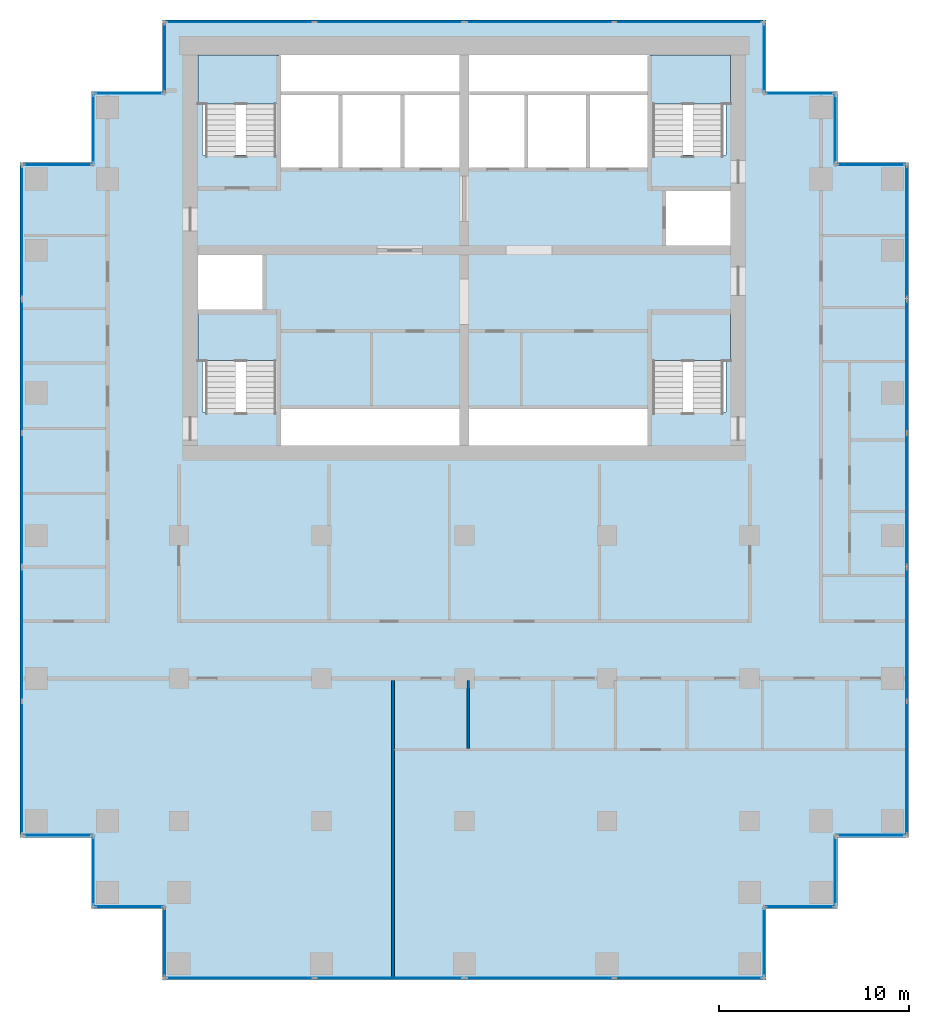
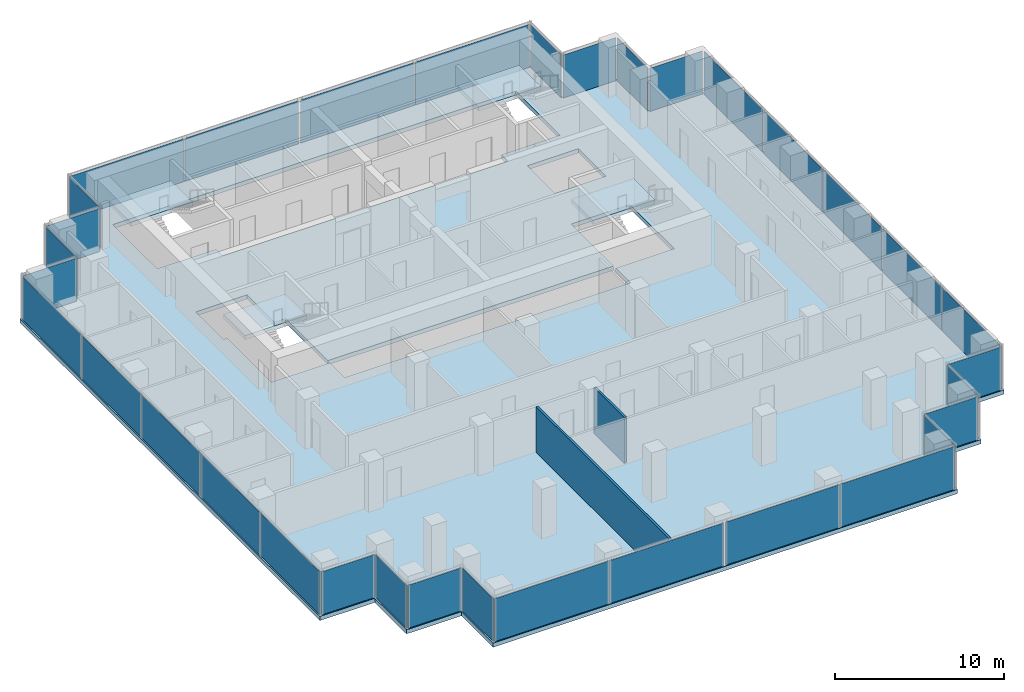
# One storey, part 6 of 10: 34 plates, 5 slabs, 2 walls, 30 elements without a shape of their own.
"""IFC4 building model written with IfcOpenShell, lengths in metres."""

from ifc_helpers import new_model, si_unit, direction, frame, frame_2d, origin, origin_2d, place, context, subcontext, project, spatial, polyline, rectangle, outline, extrude, material, layer, layer_set, type_object, element, aggregate, save


model = new_model("IFC4")

# Units and contexts
model_context = context("Model", 3, precision=1e-05, world=origin(), true_north=direction((0.0, 1.0)))
body_context = subcontext(model_context, "Body", "Model", "MODEL_VIEW")
ifc_project = project(units=[si_unit("LENGTHUNIT", "METRE"), si_unit("AREAUNIT", "SQUARE_METRE"), si_unit("VOLUMEUNIT", "CUBIC_METRE"), si_unit("PLANEANGLEUNIT", "RADIAN"), si_unit("MASSUNIT", "GRAM", prefix="KILO")], contexts=[model_context])

# Site, building, storey
site_placement = place(None, origin())
site = spatial("IfcSite", under=ifc_project, at=site_placement, CompositionType="ELEMENT")
building_placement = place(site_placement, origin())
building = spatial("IfcBuilding", under=site, at=building_placement, Name="Pilkhan Gate Tower", CompositionType="ELEMENT")
storey_placement = place(building_placement, frame((0.0, 0.0, 165.699951171875)))
storey = spatial("IfcBuildingStorey", under=building, at=storey_placement, Name="L42", CompositionType="ELEMENT", Elevation=165.699951171875)

# Slab
ifc_material_1 = material(Name="Concrete C40/50", Category="concrete")
ifc_layer_1 = layer(ifc_material_1, 0.300048828125)
ifc_layer_set_1 = layer_set([ifc_layer_1], Name="Flat plate slab FP300")
slab_type_1 = type_object("IfcSlabType", Name="Flat plate slab FP300", PredefinedType="FLOOR", material=ifc_layer_set_1)
slab_1_placement = place(storey_placement, frame((0.0, 0.0, -0.300048828125)))
element("IfcSlab", 1, at=slab_1_placement, inside=storey, type_object=slab_type_1, Name="Floor slab L42", PredefinedType="FLOOR", context=body_context, shape_type="SweptSolid", body=[
    extrude(outline(polyline([(94.60009765625, 47.89990234375), (90.85009765625, 47.89990234375), (90.85009765625, 44.14990234375), (59.14990234375, 44.14990234375), (59.14990234375, 47.89990234375), (55.39990234375, 47.89990234375), (55.39990234375, 51.64990234375), (51.64990234375, 51.64990234375), (51.64990234375, 87.10009765625), (55.39990234375, 87.10009765625), (55.39990234375, 90.85009765625), (59.14990234375, 90.85009765625), (59.14990234375, 94.60009765625), (90.85009765625, 94.60009765625), (90.85009765625, 90.85009765625), (94.60009765625, 90.85009765625), (94.60009765625, 87.10009765625), (98.35009765625, 87.10009765625), (98.35009765625, 51.64990234375), (94.60009765625, 51.64990234375), (94.60009765625, 47.89990234375)]), holes=[polyline([(75.0, 72.25), (84.75, 72.25), (84.75, 74.0), (88.75, 74.0), (88.75, 79.25), (84.75, 79.25), (84.75, 74.25), (75.0, 74.25), (65.25, 74.25), (65.25, 79.25), (64.5, 79.25), (64.5, 82.5), (61.25, 82.5), (61.0, 82.5), (61.0, 79.25), (61.25, 79.25), (61.25, 74.0), (65.25, 74.0), (65.25, 72.25), (75.0, 72.25)]), polyline([(68.5, 86.75), (71.75, 86.75), (75.0, 86.75), (78.25, 86.75), (81.5, 86.75), (84.75, 86.75), (84.75, 87.5), (88.75, 87.5), (88.75, 92.75), (84.75, 92.75), (75.0, 92.75), (65.25, 92.75), (61.25, 92.75), (61.25, 87.5), (65.25, 87.5), (65.25, 86.75), (68.5, 86.75)]), polyline([(85.5, 85.75), (85.5, 82.5), (88.75, 82.5), (89.0, 82.5), (89.0, 85.75), (88.75, 85.75), (85.5, 85.75)])]), origin(), (0.0, 0.0, 1.0), 0.300048828125),
])

# Curtain wall, plates
ifc_material_2 = material(Name="Pale anodised aluminium, clear low-iron double glazing", Category="aluminium")
curtain_wall_type = type_object("IfcCurtainWallType", Name="Office unitised curtain wall CW-O1", PredefinedType="USERDEFINED", material=ifc_material_2)
curtain_wall_1_placement = place(storey_placement, origin())
curtain_wall_1 = element("IfcCurtainWall", 2, at=curtain_wall_1_placement, inside=storey, type_object=curtain_wall_type, Name="Office unitised curtain wall CW-O1 L42 E", ObjectType="UNITISED CURTAIN WALL", PredefinedType="USERDEFINED")
ifc_material_3 = material(Name="Clear low-iron double glazing", Category="glass")
ifc_layer_2 = layer(ifc_material_3, 0.0400390625)
ifc_layer_set_2 = layer_set([ifc_layer_2], Name="Glass panel CW-O1 40")
plate_type = type_object("IfcPlateType", Name="Glass panel CW-O1 40", PredefinedType="CURTAIN_PANEL", material=ifc_layer_set_2)
plate_1_placement = place(storey_placement, frame((98.25, 55.29248046875, 0.0), z_axis=(0.0, 0.0, 1.0), x_axis=(0.0, 1.0, 0.0)))
plate_1 = element("IfcPlate", 3, at=plate_1_placement, type_object=plate_type, Name="CW-O1 panel 1", PredefinedType="CURTAIN_PANEL", context=body_context, shape_type="SweptSolid", body=[
    extrude(rectangle(XDim=6.945068359375, YDim=0.0400390625, at=origin_2d()), origin(), (0.0, 0.0, 1.0), 3.10009765625),
])
plate_2_placement = place(storey_placement, frame((98.25, 62.3076171875, 0.0), z_axis=(0.0, 0.0, 1.0), x_axis=(0.0, 1.0, 0.0)))
plate_2 = element("IfcPlate", 4, at=plate_2_placement, type_object=plate_type, Name="CW-O1 panel 2", PredefinedType="CURTAIN_PANEL", context=body_context, shape_type="SweptSolid", body=[
    extrude(rectangle(XDim=6.945068359375, YDim=0.0400390625, at=origin_2d()), origin(), (0.0, 0.0, 1.0), 3.10009765625),
])
aggregate(curtain_wall_1, [plate_1, plate_2])

curtain_wall_2_placement = place(storey_placement, origin())
curtain_wall_2 = element("IfcCurtainWall", 5, at=curtain_wall_2_placement, inside=storey, type_object=curtain_wall_type, Name="Office unitised curtain wall CW-O1 L42 E", ObjectType="UNITISED CURTAIN WALL", PredefinedType="USERDEFINED")
plate_3_placement = place(storey_placement, frame((98.25, 69.392578125, 0.0), z_axis=(0.0, 0.0, 1.0), x_axis=(0.0, 1.0, 0.0)))
plate_3 = element("IfcPlate", 6, at=plate_3_placement, type_object=plate_type, Name="CW-O1 panel 1", PredefinedType="CURTAIN_PANEL", context=body_context, shape_type="SweptSolid", body=[
    extrude(rectangle(XDim=6.945068359375, YDim=0.0400390625, at=origin_2d()), origin(), (0.0, 0.0, 1.0), 3.10009765625),
])
plate_4_placement = place(storey_placement, frame((98.25, 76.407470703125, 0.0), z_axis=(0.0, 0.0, 1.0), x_axis=(0.0, 1.0, 0.0)))
plate_4 = element("IfcPlate", 7, at=plate_4_placement, type_object=plate_type, Name="CW-O1 panel 2", PredefinedType="CURTAIN_PANEL", context=body_context, shape_type="SweptSolid", body=[
    extrude(rectangle(XDim=6.945068359375, YDim=0.0400390625, at=origin_2d()), origin(), (0.0, 0.0, 1.0), 3.10009765625),
])
aggregate(curtain_wall_2, [plate_3, plate_4])

# Curtain wall, plate
curtain_wall_3_placement = place(storey_placement, origin())
curtain_wall_3 = element("IfcCurtainWall", 8, at=curtain_wall_3_placement, inside=storey, type_object=curtain_wall_type, Name="Office unitised curtain wall CW-O1 L42 E", ObjectType="UNITISED CURTAIN WALL", PredefinedType="USERDEFINED")
plate_5_placement = place(storey_placement, frame((98.25, 83.47509765625, 0.0), z_axis=(0.0, 0.0, 1.0), x_axis=(0.0, 1.0, 0.0)))
plate_5 = element("IfcPlate", 9, at=plate_5_placement, type_object=plate_type, Name="CW-O1 panel 1", PredefinedType="CURTAIN_PANEL", context=body_context, shape_type="SweptSolid", body=[
    extrude(rectangle(XDim=6.909912109375, YDim=0.0400390625, at=origin_2d()), origin(), (0.0, 0.0, 1.0), 3.10009765625),
])
aggregate(curtain_wall_3, [plate_5])

curtain_wall_4_placement = place(storey_placement, origin())
curtain_wall_4 = element("IfcCurtainWall", 10, at=curtain_wall_4_placement, inside=storey, type_object=curtain_wall_type, Name="Office unitised curtain wall CW-O1 L42 N", ObjectType="UNITISED CURTAIN WALL", PredefinedType="USERDEFINED")
plate_6_placement = place(storey_placement, frame((96.375, 87.0, 0.0), z_axis=(0.0, 0.0, 1.0), x_axis=(1.0, 0.0, 0.0)))
plate_6 = element("IfcPlate", 11, at=plate_6_placement, type_object=plate_type, Name="CW-O1 panel 1", PredefinedType="CURTAIN_PANEL", context=body_context, shape_type="SweptSolid", body=[
    extrude(rectangle(XDim=3.610107421875, YDim=0.0400390625, at=origin_2d()), origin(), (0.0, 0.0, 1.0), 3.10009765625),
])
aggregate(curtain_wall_4, [plate_6])

curtain_wall_5_placement = place(storey_placement, origin())
curtain_wall_5 = element("IfcCurtainWall", 12, at=curtain_wall_5_placement, inside=storey, type_object=curtain_wall_type, Name="Office unitised curtain wall CW-O1 L42 E", ObjectType="UNITISED CURTAIN WALL", PredefinedType="USERDEFINED")
plate_7_placement = place(storey_placement, frame((94.5, 88.875, 0.0), z_axis=(0.0, 0.0, 1.0), x_axis=(0.0, 1.0, 0.0)))
plate_7 = element("IfcPlate", 13, at=plate_7_placement, type_object=plate_type, Name="CW-O1 panel 1", PredefinedType="CURTAIN_PANEL", context=body_context, shape_type="SweptSolid", body=[
    extrude(rectangle(XDim=3.610107421875, YDim=0.0400390625, at=origin_2d()), origin(), (0.0, 0.0, 1.0), 3.10009765625),
])
aggregate(curtain_wall_5, [plate_7])

curtain_wall_6_placement = place(storey_placement, origin())
curtain_wall_6 = element("IfcCurtainWall", 14, at=curtain_wall_6_placement, inside=storey, type_object=curtain_wall_type, Name="Office unitised curtain wall CW-O1 L42 N", ObjectType="UNITISED CURTAIN WALL", PredefinedType="USERDEFINED")
plate_8_placement = place(storey_placement, frame((92.625, 90.75, 0.0), z_axis=(0.0, 0.0, 1.0), x_axis=(1.0, 0.0, 0.0)))
plate_8 = element("IfcPlate", 15, at=plate_8_placement, type_object=plate_type, Name="CW-O1 panel 1", PredefinedType="CURTAIN_PANEL", context=body_context, shape_type="SweptSolid", body=[
    extrude(rectangle(XDim=3.610107421875, YDim=0.0400390625, at=origin_2d()), origin(), (0.0, 0.0, 1.0), 3.10009765625),
])
aggregate(curtain_wall_6, [plate_8])

curtain_wall_7_placement = place(storey_placement, origin())
curtain_wall_7 = element("IfcCurtainWall", 16, at=curtain_wall_7_placement, inside=storey, type_object=curtain_wall_type, Name="Office unitised curtain wall CW-O1 L42 E", ObjectType="UNITISED CURTAIN WALL", PredefinedType="USERDEFINED")
plate_9_placement = place(storey_placement, frame((90.75, 92.625, 0.0), z_axis=(0.0, 0.0, 1.0), x_axis=(0.0, 1.0, 0.0)))
plate_9 = element("IfcPlate", 17, at=plate_9_placement, type_object=plate_type, Name="CW-O1 panel 1", PredefinedType="CURTAIN_PANEL", context=body_context, shape_type="SweptSolid", body=[
    extrude(rectangle(XDim=3.610107421875, YDim=0.0400390625, at=origin_2d()), origin(), (0.0, 0.0, 1.0), 3.10009765625),
])
aggregate(curtain_wall_7, [plate_9])

# Curtain wall, plates
curtain_wall_8_placement = place(storey_placement, origin())
curtain_wall_8 = element("IfcCurtainWall", 18, at=curtain_wall_8_placement, inside=storey, type_object=curtain_wall_type, Name="Office unitised curtain wall CW-O1 L42 N", ObjectType="UNITISED CURTAIN WALL", PredefinedType="USERDEFINED")
plate_10_placement = place(storey_placement, frame((63.205078125, 94.5, 0.0), z_axis=(0.0, 0.0, 1.0), x_axis=(1.0, 0.0, 0.0)))
plate_10 = element("IfcPlate", 19, at=plate_10_placement, type_object=plate_type, Name="CW-O1 panel 1", PredefinedType="CURTAIN_PANEL", context=body_context, shape_type="SweptSolid", body=[
    extrude(rectangle(XDim=7.77001953125, YDim=0.0400390625, at=origin_2d()), origin(), (0.0, 0.0, 1.0), 3.10009765625),
])
plate_11_placement = place(storey_placement, frame((71.044921875, 94.5, 0.0), z_axis=(0.0, 0.0, 1.0), x_axis=(1.0, 0.0, 0.0)))
plate_11 = element("IfcPlate", 20, at=plate_11_placement, type_object=plate_type, Name="CW-O1 panel 2", PredefinedType="CURTAIN_PANEL", context=body_context, shape_type="SweptSolid", body=[
    extrude(rectangle(XDim=7.77001953125, YDim=0.0400390625, at=origin_2d()), origin(), (0.0, 0.0, 1.0), 3.10009765625),
])
aggregate(curtain_wall_8, [plate_10, plate_11])

curtain_wall_9_placement = place(storey_placement, origin())
curtain_wall_9 = element("IfcCurtainWall", 21, at=curtain_wall_9_placement, inside=storey, type_object=curtain_wall_type, Name="Office unitised curtain wall CW-O1 L42 N", ObjectType="UNITISED CURTAIN WALL", PredefinedType="USERDEFINED")
plate_12_placement = place(storey_placement, frame((78.955078125, 94.5, 0.0), z_axis=(0.0, 0.0, 1.0), x_axis=(1.0, 0.0, 0.0)))
plate_12 = element("IfcPlate", 22, at=plate_12_placement, type_object=plate_type, Name="CW-O1 panel 1", PredefinedType="CURTAIN_PANEL", context=body_context, shape_type="SweptSolid", body=[
    extrude(rectangle(XDim=7.77001953125, YDim=0.0400390625, at=origin_2d()), origin(), (0.0, 0.0, 1.0), 3.10009765625),
])
plate_13_placement = place(storey_placement, frame((86.794921875, 94.5, 0.0), z_axis=(0.0, 0.0, 1.0), x_axis=(1.0, 0.0, 0.0)))
plate_13 = element("IfcPlate", 23, at=plate_13_placement, type_object=plate_type, Name="CW-O1 panel 2", PredefinedType="CURTAIN_PANEL", context=body_context, shape_type="SweptSolid", body=[
    extrude(rectangle(XDim=7.77001953125, YDim=0.0400390625, at=origin_2d()), origin(), (0.0, 0.0, 1.0), 3.10009765625),
])
aggregate(curtain_wall_9, [plate_12, plate_13])

# Curtain wall, plate
curtain_wall_10_placement = place(storey_placement, origin())
curtain_wall_10 = element("IfcCurtainWall", 24, at=curtain_wall_10_placement, inside=storey, type_object=curtain_wall_type, Name="Office unitised curtain wall CW-O1 L42 W", ObjectType="UNITISED CURTAIN WALL", PredefinedType="USERDEFINED")
plate_14_placement = place(storey_placement, frame((59.25, 92.625, 0.0), z_axis=(0.0, 0.0, 1.0), x_axis=(0.0, 1.0, 0.0)))
plate_14 = element("IfcPlate", 25, at=plate_14_placement, type_object=plate_type, Name="CW-O1 panel 1", PredefinedType="CURTAIN_PANEL", context=body_context, shape_type="SweptSolid", body=[
    extrude(rectangle(XDim=3.610107421875, YDim=0.0400390625, at=origin_2d()), origin(), (0.0, 0.0, 1.0), 3.10009765625),
])
aggregate(curtain_wall_10, [plate_14])

curtain_wall_11_placement = place(storey_placement, origin())
curtain_wall_11 = element("IfcCurtainWall", 26, at=curtain_wall_11_placement, inside=storey, type_object=curtain_wall_type, Name="Office unitised curtain wall CW-O1 L42 N", ObjectType="UNITISED CURTAIN WALL", PredefinedType="USERDEFINED")
plate_15_placement = place(storey_placement, frame((57.375, 90.75, 0.0), z_axis=(0.0, 0.0, 1.0), x_axis=(1.0, 0.0, 0.0)))
plate_15 = element("IfcPlate", 27, at=plate_15_placement, type_object=plate_type, Name="CW-O1 panel 1", PredefinedType="CURTAIN_PANEL", context=body_context, shape_type="SweptSolid", body=[
    extrude(rectangle(XDim=3.610107421875, YDim=0.0400390625, at=origin_2d()), origin(), (0.0, 0.0, 1.0), 3.10009765625),
])
aggregate(curtain_wall_11, [plate_15])

curtain_wall_12_placement = place(storey_placement, origin())
curtain_wall_12 = element("IfcCurtainWall", 28, at=curtain_wall_12_placement, inside=storey, type_object=curtain_wall_type, Name="Office unitised curtain wall CW-O1 L42 W", ObjectType="UNITISED CURTAIN WALL", PredefinedType="USERDEFINED")
plate_16_placement = place(storey_placement, frame((55.5, 88.875, 0.0), z_axis=(0.0, 0.0, 1.0), x_axis=(0.0, 1.0, 0.0)))
plate_16 = element("IfcPlate", 29, at=plate_16_placement, type_object=plate_type, Name="CW-O1 panel 1", PredefinedType="CURTAIN_PANEL", context=body_context, shape_type="SweptSolid", body=[
    extrude(rectangle(XDim=3.610107421875, YDim=0.0400390625, at=origin_2d()), origin(), (0.0, 0.0, 1.0), 3.10009765625),
])
aggregate(curtain_wall_12, [plate_16])

curtain_wall_13_placement = place(storey_placement, origin())
curtain_wall_13 = element("IfcCurtainWall", 30, at=curtain_wall_13_placement, inside=storey, type_object=curtain_wall_type, Name="Office unitised curtain wall CW-O1 L42 N", ObjectType="UNITISED CURTAIN WALL", PredefinedType="USERDEFINED")
plate_17_placement = place(storey_placement, frame((53.625, 87.0, 0.0), z_axis=(0.0, 0.0, 1.0), x_axis=(1.0, 0.0, 0.0)))
plate_17 = element("IfcPlate", 31, at=plate_17_placement, type_object=plate_type, Name="CW-O1 panel 1", PredefinedType="CURTAIN_PANEL", context=body_context, shape_type="SweptSolid", body=[
    extrude(rectangle(XDim=3.610107421875, YDim=0.0400390625, at=origin_2d()), origin(), (0.0, 0.0, 1.0), 3.10009765625),
])
aggregate(curtain_wall_13, [plate_17])

# Curtain wall, plates
curtain_wall_14_placement = place(storey_placement, origin())
curtain_wall_14 = element("IfcCurtainWall", 32, at=curtain_wall_14_placement, inside=storey, type_object=curtain_wall_type, Name="Office unitised curtain wall CW-O1 L42 W", ObjectType="UNITISED CURTAIN WALL", PredefinedType="USERDEFINED")
plate_18_placement = place(storey_placement, frame((51.75, 55.29248046875, 0.0), z_axis=(0.0, 0.0, 1.0), x_axis=(0.0, 1.0, 0.0)))
plate_18 = element("IfcPlate", 33, at=plate_18_placement, type_object=plate_type, Name="CW-O1 panel 1", PredefinedType="CURTAIN_PANEL", context=body_context, shape_type="SweptSolid", body=[
    extrude(rectangle(XDim=6.945068359375, YDim=0.0400390625, at=origin_2d()), origin(), (0.0, 0.0, 1.0), 3.10009765625),
])
plate_19_placement = place(storey_placement, frame((51.75, 62.3076171875, 0.0), z_axis=(0.0, 0.0, 1.0), x_axis=(0.0, 1.0, 0.0)))
plate_19 = element("IfcPlate", 34, at=plate_19_placement, type_object=plate_type, Name="CW-O1 panel 2", PredefinedType="CURTAIN_PANEL", context=body_context, shape_type="SweptSolid", body=[
    extrude(rectangle(XDim=6.945068359375, YDim=0.0400390625, at=origin_2d()), origin(), (0.0, 0.0, 1.0), 3.10009765625),
])
aggregate(curtain_wall_14, [plate_18, plate_19])

curtain_wall_15_placement = place(storey_placement, origin())
curtain_wall_15 = element("IfcCurtainWall", 35, at=curtain_wall_15_placement, inside=storey, type_object=curtain_wall_type, Name="Office unitised curtain wall CW-O1 L42 W", ObjectType="UNITISED CURTAIN WALL", PredefinedType="USERDEFINED")
plate_20_placement = place(storey_placement, frame((51.75, 69.392578125, 0.0), z_axis=(0.0, 0.0, 1.0), x_axis=(0.0, 1.0, 0.0)))
plate_20 = element("IfcPlate", 36, at=plate_20_placement, type_object=plate_type, Name="CW-O1 panel 1", PredefinedType="CURTAIN_PANEL", context=body_context, shape_type="SweptSolid", body=[
    extrude(rectangle(XDim=6.945068359375, YDim=0.0400390625, at=origin_2d()), origin(), (0.0, 0.0, 1.0), 3.10009765625),
])
plate_21_placement = place(storey_placement, frame((51.75, 76.407470703125, 0.0), z_axis=(0.0, 0.0, 1.0), x_axis=(0.0, 1.0, 0.0)))
plate_21 = element("IfcPlate", 37, at=plate_21_placement, type_object=plate_type, Name="CW-O1 panel 2", PredefinedType="CURTAIN_PANEL", context=body_context, shape_type="SweptSolid", body=[
    extrude(rectangle(XDim=6.945068359375, YDim=0.0400390625, at=origin_2d()), origin(), (0.0, 0.0, 1.0), 3.10009765625),
])
aggregate(curtain_wall_15, [plate_20, plate_21])

# Curtain wall, plate
curtain_wall_16_placement = place(storey_placement, origin())
curtain_wall_16 = element("IfcCurtainWall", 38, at=curtain_wall_16_placement, inside=storey, type_object=curtain_wall_type, Name="Office unitised curtain wall CW-O1 L42 W", ObjectType="UNITISED CURTAIN WALL", PredefinedType="USERDEFINED")
plate_22_placement = place(storey_placement, frame((51.75, 83.47509765625, 0.0), z_axis=(0.0, 0.0, 1.0), x_axis=(0.0, 1.0, 0.0)))
plate_22 = element("IfcPlate", 39, at=plate_22_placement, type_object=plate_type, Name="CW-O1 panel 1", PredefinedType="CURTAIN_PANEL", context=body_context, shape_type="SweptSolid", body=[
    extrude(rectangle(XDim=6.909912109375, YDim=0.0400390625, at=origin_2d()), origin(), (0.0, 0.0, 1.0), 3.10009765625),
])
aggregate(curtain_wall_16, [plate_22])

curtain_wall_17_placement = place(storey_placement, origin())
curtain_wall_17 = element("IfcCurtainWall", 40, at=curtain_wall_17_placement, inside=storey, type_object=curtain_wall_type, Name="Office unitised curtain wall CW-O1 L42 S", ObjectType="UNITISED CURTAIN WALL", PredefinedType="USERDEFINED")
plate_23_placement = place(storey_placement, frame((53.625, 51.75, 0.0), z_axis=(0.0, 0.0, 1.0), x_axis=(1.0, 0.0, 0.0)))
plate_23 = element("IfcPlate", 41, at=plate_23_placement, type_object=plate_type, Name="CW-O1 panel 1", PredefinedType="CURTAIN_PANEL", context=body_context, shape_type="SweptSolid", body=[
    extrude(rectangle(XDim=3.610107421875, YDim=0.0400390625, at=origin_2d()), origin(), (0.0, 0.0, 1.0), 3.10009765625),
])
aggregate(curtain_wall_17, [plate_23])

curtain_wall_18_placement = place(storey_placement, origin())
curtain_wall_18 = element("IfcCurtainWall", 42, at=curtain_wall_18_placement, inside=storey, type_object=curtain_wall_type, Name="Office unitised curtain wall CW-O1 L42 W", ObjectType="UNITISED CURTAIN WALL", PredefinedType="USERDEFINED")
plate_24_placement = place(storey_placement, frame((55.5, 49.875, 0.0), z_axis=(0.0, 0.0, 1.0), x_axis=(0.0, 1.0, 0.0)))
plate_24 = element("IfcPlate", 43, at=plate_24_placement, type_object=plate_type, Name="CW-O1 panel 1", PredefinedType="CURTAIN_PANEL", context=body_context, shape_type="SweptSolid", body=[
    extrude(rectangle(XDim=3.610107421875, YDim=0.0400390625, at=origin_2d()), origin(), (0.0, 0.0, 1.0), 3.10009765625),
])
aggregate(curtain_wall_18, [plate_24])

curtain_wall_19_placement = place(storey_placement, origin())
curtain_wall_19 = element("IfcCurtainWall", 44, at=curtain_wall_19_placement, inside=storey, type_object=curtain_wall_type, Name="Office unitised curtain wall CW-O1 L42 S", ObjectType="UNITISED CURTAIN WALL", PredefinedType="USERDEFINED")
plate_25_placement = place(storey_placement, frame((57.375, 48.0, 0.0), z_axis=(0.0, 0.0, 1.0), x_axis=(1.0, 0.0, 0.0)))
plate_25 = element("IfcPlate", 45, at=plate_25_placement, type_object=plate_type, Name="CW-O1 panel 1", PredefinedType="CURTAIN_PANEL", context=body_context, shape_type="SweptSolid", body=[
    extrude(rectangle(XDim=3.610107421875, YDim=0.0400390625, at=origin_2d()), origin(), (0.0, 0.0, 1.0), 3.10009765625),
])
aggregate(curtain_wall_19, [plate_25])

curtain_wall_20_placement = place(storey_placement, origin())
curtain_wall_20 = element("IfcCurtainWall", 46, at=curtain_wall_20_placement, inside=storey, type_object=curtain_wall_type, Name="Office unitised curtain wall CW-O1 L42 W", ObjectType="UNITISED CURTAIN WALL", PredefinedType="USERDEFINED")
plate_26_placement = place(storey_placement, frame((59.25, 46.125, 0.0), z_axis=(0.0, 0.0, 1.0), x_axis=(0.0, 1.0, 0.0)))
plate_26 = element("IfcPlate", 47, at=plate_26_placement, type_object=plate_type, Name="CW-O1 panel 1", PredefinedType="CURTAIN_PANEL", context=body_context, shape_type="SweptSolid", body=[
    extrude(rectangle(XDim=3.610107421875, YDim=0.0400390625, at=origin_2d()), origin(), (0.0, 0.0, 1.0), 3.10009765625),
])
aggregate(curtain_wall_20, [plate_26])

# Curtain wall, plates
curtain_wall_21_placement = place(storey_placement, origin())
curtain_wall_21 = element("IfcCurtainWall", 48, at=curtain_wall_21_placement, inside=storey, type_object=curtain_wall_type, Name="Office unitised curtain wall CW-O1 L42 S", ObjectType="UNITISED CURTAIN WALL", PredefinedType="USERDEFINED")
plate_27_placement = place(storey_placement, frame((63.205078125, 44.25, 0.0), z_axis=(0.0, 0.0, 1.0), x_axis=(1.0, 0.0, 0.0)))
plate_27 = element("IfcPlate", 49, at=plate_27_placement, type_object=plate_type, Name="CW-O1 panel 1", PredefinedType="CURTAIN_PANEL", context=body_context, shape_type="SweptSolid", body=[
    extrude(rectangle(XDim=7.77001953125, YDim=0.0400390625, at=origin_2d()), origin(), (0.0, 0.0, 1.0), 3.10009765625),
])
plate_28_placement = place(storey_placement, frame((71.044921875, 44.25, 0.0), z_axis=(0.0, 0.0, 1.0), x_axis=(1.0, 0.0, 0.0)))
plate_28 = element("IfcPlate", 50, at=plate_28_placement, type_object=plate_type, Name="CW-O1 panel 2", PredefinedType="CURTAIN_PANEL", context=body_context, shape_type="SweptSolid", body=[
    extrude(rectangle(XDim=7.77001953125, YDim=0.0400390625, at=origin_2d()), origin(), (0.0, 0.0, 1.0), 3.10009765625),
])
aggregate(curtain_wall_21, [plate_27, plate_28])

curtain_wall_22_placement = place(storey_placement, origin())
curtain_wall_22 = element("IfcCurtainWall", 51, at=curtain_wall_22_placement, inside=storey, type_object=curtain_wall_type, Name="Office unitised curtain wall CW-O1 L42 S", ObjectType="UNITISED CURTAIN WALL", PredefinedType="USERDEFINED")
plate_29_placement = place(storey_placement, frame((78.955078125, 44.25, 0.0), z_axis=(0.0, 0.0, 1.0), x_axis=(1.0, 0.0, 0.0)))
plate_29 = element("IfcPlate", 52, at=plate_29_placement, type_object=plate_type, Name="CW-O1 panel 1", PredefinedType="CURTAIN_PANEL", context=body_context, shape_type="SweptSolid", body=[
    extrude(rectangle(XDim=7.77001953125, YDim=0.0400390625, at=origin_2d()), origin(), (0.0, 0.0, 1.0), 3.10009765625),
])
plate_30_placement = place(storey_placement, frame((86.794921875, 44.25, 0.0), z_axis=(0.0, 0.0, 1.0), x_axis=(1.0, 0.0, 0.0)))
plate_30 = element("IfcPlate", 53, at=plate_30_placement, type_object=plate_type, Name="CW-O1 panel 2", PredefinedType="CURTAIN_PANEL", context=body_context, shape_type="SweptSolid", body=[
    extrude(rectangle(XDim=7.77001953125, YDim=0.0400390625, at=origin_2d()), origin(), (0.0, 0.0, 1.0), 3.10009765625),
])
aggregate(curtain_wall_22, [plate_29, plate_30])

# Curtain wall, plate
curtain_wall_23_placement = place(storey_placement, origin())
curtain_wall_23 = element("IfcCurtainWall", 54, at=curtain_wall_23_placement, inside=storey, type_object=curtain_wall_type, Name="Office unitised curtain wall CW-O1 L42 E", ObjectType="UNITISED CURTAIN WALL", PredefinedType="USERDEFINED")
plate_31_placement = place(storey_placement, frame((90.75, 46.125, 0.0), z_axis=(0.0, 0.0, 1.0), x_axis=(0.0, 1.0, 0.0)))
plate_31 = element("IfcPlate", 55, at=plate_31_placement, type_object=plate_type, Name="CW-O1 panel 1", PredefinedType="CURTAIN_PANEL", context=body_context, shape_type="SweptSolid", body=[
    extrude(rectangle(XDim=3.610107421875, YDim=0.0400390625, at=origin_2d()), origin(), (0.0, 0.0, 1.0), 3.10009765625),
])
aggregate(curtain_wall_23, [plate_31])

curtain_wall_24_placement = place(storey_placement, origin())
curtain_wall_24 = element("IfcCurtainWall", 56, at=curtain_wall_24_placement, inside=storey, type_object=curtain_wall_type, Name="Office unitised curtain wall CW-O1 L42 S", ObjectType="UNITISED CURTAIN WALL", PredefinedType="USERDEFINED")
plate_32_placement = place(storey_placement, frame((92.625, 48.0, 0.0), z_axis=(0.0, 0.0, 1.0), x_axis=(1.0, 0.0, 0.0)))
plate_32 = element("IfcPlate", 57, at=plate_32_placement, type_object=plate_type, Name="CW-O1 panel 1", PredefinedType="CURTAIN_PANEL", context=body_context, shape_type="SweptSolid", body=[
    extrude(rectangle(XDim=3.610107421875, YDim=0.0400390625, at=origin_2d()), origin(), (0.0, 0.0, 1.0), 3.10009765625),
])
aggregate(curtain_wall_24, [plate_32])

curtain_wall_25_placement = place(storey_placement, origin())
curtain_wall_25 = element("IfcCurtainWall", 58, at=curtain_wall_25_placement, inside=storey, type_object=curtain_wall_type, Name="Office unitised curtain wall CW-O1 L42 E", ObjectType="UNITISED CURTAIN WALL", PredefinedType="USERDEFINED")
plate_33_placement = place(storey_placement, frame((94.5, 49.875, 0.0), z_axis=(0.0, 0.0, 1.0), x_axis=(0.0, 1.0, 0.0)))
plate_33 = element("IfcPlate", 59, at=plate_33_placement, type_object=plate_type, Name="CW-O1 panel 1", PredefinedType="CURTAIN_PANEL", context=body_context, shape_type="SweptSolid", body=[
    extrude(rectangle(XDim=3.610107421875, YDim=0.0400390625, at=origin_2d()), origin(), (0.0, 0.0, 1.0), 3.10009765625),
])
aggregate(curtain_wall_25, [plate_33])

curtain_wall_26_placement = place(storey_placement, origin())
curtain_wall_26 = element("IfcCurtainWall", 60, at=curtain_wall_26_placement, inside=storey, type_object=curtain_wall_type, Name="Office unitised curtain wall CW-O1 L42 S", ObjectType="UNITISED CURTAIN WALL", PredefinedType="USERDEFINED")
plate_34_placement = place(storey_placement, frame((96.375, 51.75, 0.0), z_axis=(0.0, 0.0, 1.0), x_axis=(1.0, 0.0, 0.0)))
plate_34 = element("IfcPlate", 61, at=plate_34_placement, type_object=plate_type, Name="CW-O1 panel 1", PredefinedType="CURTAIN_PANEL", context=body_context, shape_type="SweptSolid", body=[
    extrude(rectangle(XDim=3.610107421875, YDim=0.0400390625, at=origin_2d()), origin(), (0.0, 0.0, 1.0), 3.10009765625),
])
aggregate(curtain_wall_26, [plate_34])

# Stair, slab
ifc_material_4 = material(Name="Concrete C40/50 precast", Category="concrete")
stair_type_1 = type_object("IfcStairType", Name="Stair ST1 164x280", PredefinedType="HALF_TURN_STAIR", material=ifc_material_4)
stair_1_placement = place(storey_placement, origin())
stair_1 = element("IfcStair", 62, at=stair_1_placement, inside=storey, type_object=stair_type_1, Name="Stair ST1 L42", PredefinedType="HALF_TURN_STAIR")
ifc_layer_3 = layer(ifc_material_1, 0.199951171875)
ifc_layer_set_3 = layer_set([ifc_layer_3], Name="Stair landing SL200")
slab_type_2 = type_object("IfcSlabType", Name="Stair landing SL200", PredefinedType="LANDING", material=ifc_layer_set_3)
slab_2_placement = place(storey_placement, frame((0.0, 0.0, 1.5)))
slab_2 = element("IfcSlab", 63, at=slab_2_placement, type_object=slab_type_2, Name="ST1 landing 1", PredefinedType="LANDING", context=body_context, shape_type="SweptSolid", body=[
    extrude(outline(polyline([(89.0, 76.699951171875), (89.0, 79.25), (84.75, 79.25), (84.75, 76.699951171875), (89.0, 76.699951171875)])), origin(), (0.0, 0.0, 1.0), 0.300048828125),
])
aggregate(stair_1, [slab_2])

stair_type_2 = type_object("IfcStairType", Name="Stair ST2 164x280", PredefinedType="HALF_TURN_STAIR", material=ifc_material_4)
stair_2_placement = place(storey_placement, origin())
stair_2 = element("IfcStair", 64, at=stair_2_placement, inside=storey, type_object=stair_type_2, Name="Stair ST2 L42", PredefinedType="HALF_TURN_STAIR")
slab_3_placement = place(storey_placement, frame((0.0, 0.0, 1.5)))
slab_3 = element("IfcSlab", 65, at=slab_3_placement, type_object=slab_type_2, Name="ST2 landing 1", PredefinedType="LANDING", context=body_context, shape_type="SweptSolid", body=[
    extrude(outline(polyline([(65.25, 76.699951171875), (65.25, 79.25), (61.0, 79.25), (61.0, 76.699951171875), (65.25, 76.699951171875)])), origin(), (0.0, 0.0, 1.0), 0.300048828125),
])
aggregate(stair_2, [slab_3])

stair_type_3 = type_object("IfcStairType", Name="Stair ST3 164x280", PredefinedType="HALF_TURN_STAIR", material=ifc_material_4)
stair_3_placement = place(storey_placement, origin())
stair_3 = element("IfcStair", 66, at=stair_3_placement, inside=storey, type_object=stair_type_3, Name="Stair ST3 L42", PredefinedType="HALF_TURN_STAIR")
slab_4_placement = place(storey_placement, frame((0.0, 0.0, 1.5)))
slab_4 = element("IfcSlab", 67, at=slab_4_placement, type_object=slab_type_2, Name="ST3 landing 1", PredefinedType="LANDING", context=body_context, shape_type="SweptSolid", body=[
    extrude(outline(polyline([(65.25, 90.199951171875), (65.25, 92.75), (61.0, 92.75), (61.0, 90.199951171875), (65.25, 90.199951171875)])), origin(), (0.0, 0.0, 1.0), 0.300048828125),
])
aggregate(stair_3, [slab_4])

stair_type_4 = type_object("IfcStairType", Name="Stair ST4 164x280", PredefinedType="HALF_TURN_STAIR", material=ifc_material_4)
stair_4_placement = place(storey_placement, origin())
stair_4 = element("IfcStair", 68, at=stair_4_placement, inside=storey, type_object=stair_type_4, Name="Stair ST4 L42", PredefinedType="HALF_TURN_STAIR")
slab_5_placement = place(storey_placement, frame((0.0, 0.0, 1.5)))
slab_5 = element("IfcSlab", 69, at=slab_5_placement, type_object=slab_type_2, Name="ST4 landing 1", PredefinedType="LANDING", context=body_context, shape_type="SweptSolid", body=[
    extrude(outline(polyline([(89.0, 90.199951171875), (89.0, 92.75), (84.75, 92.75), (84.75, 90.199951171875), (89.0, 90.199951171875)])), origin(), (0.0, 0.0, 1.0), 0.300048828125),
])
aggregate(stair_4, [slab_5])

# Walls
ifc_material_5 = material(Name="Blockwork partition, plastered both sides", Category="masonry")
ifc_layer_4 = layer(ifc_material_5, 0.14990234375)
ifc_layer_set_4 = layer_set([ifc_layer_4], Name="Partition PW150")
wall_type = type_object("IfcWallType", Name="Partition PW150", PredefinedType="PARTITIONING", material=ifc_layer_set_4)
wall_1_placement = place(storey_placement, frame((71.25, 44.235107421875, 0.0), z_axis=(0.0, 0.0, 1.0), x_axis=(0.0, 1.0, 0.0)))
element("IfcWall", 70, at=wall_1_placement, inside=storey, type_object=wall_type, Name="Partition L42", PredefinedType="PARTITIONING", context=body_context, shape_type="SweptSolid", body=[
    extrude(rectangle(XDim=15.664794921875, YDim=0.14990234375, at=frame_2d((7.83251953125, 0.0))), origin(), (0.0, 0.0, 1.0), 3.300048828125),
])
wall_2_placement = place(storey_placement, frame((75.205078125, 56.324951171875, 0.0), z_axis=(0.0, 0.0, 1.0), x_axis=(0.0, 1.0, 0.0)))
element("IfcWall", 71, at=wall_2_placement, inside=storey, type_object=wall_type, Name="Partition L42", PredefinedType="PARTITIONING", context=body_context, shape_type="SweptSolid", body=[
    extrude(rectangle(XDim=3.574951171875, YDim=0.14990234375, at=frame_2d((1.78759765625, 0.0))), origin(), (0.0, 0.0, 1.0), 3.300048828125),
])

save(model, "model.ifc")
